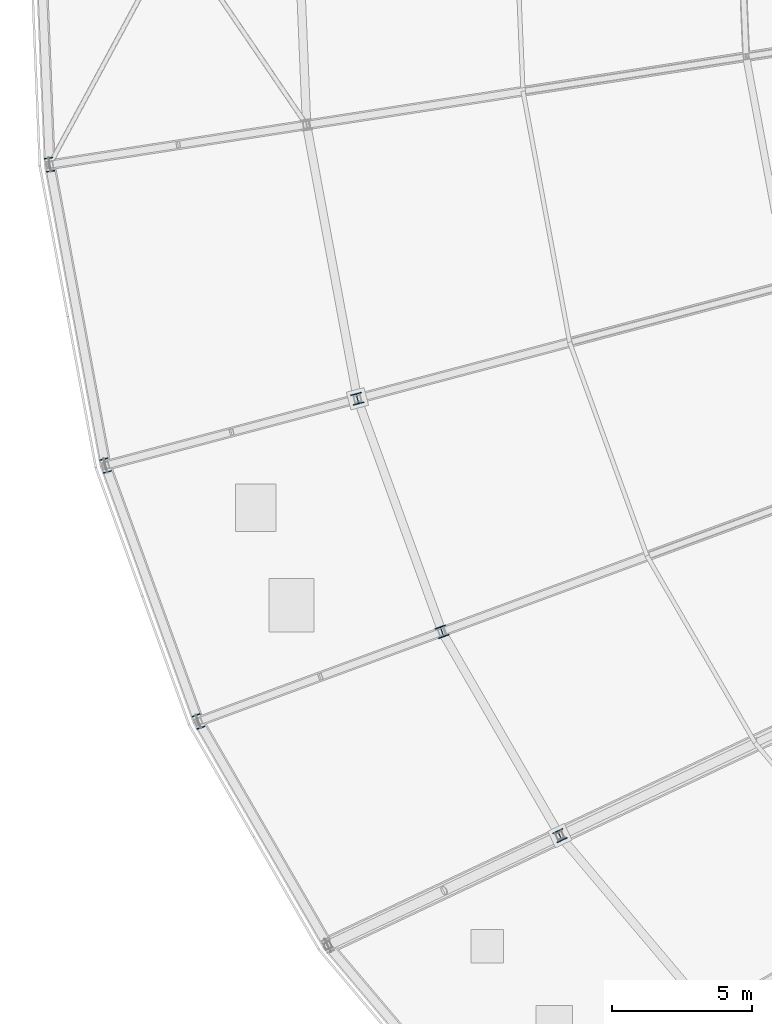
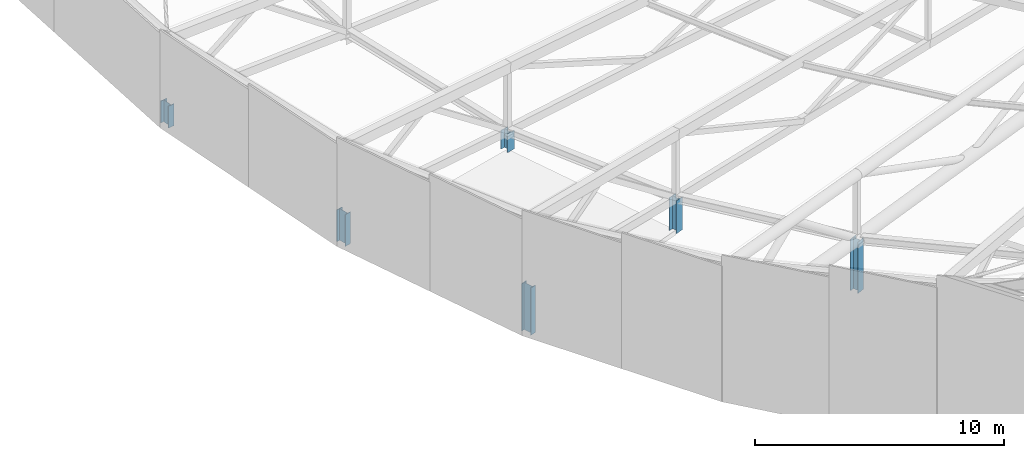
# One storey, part 3 of 143: 6 columns.
"""IFC4 building model written with IfcOpenShell, lengths in metres."""

from ifc_helpers import new_model, si_unit, direction, frame, origin, origin_2d, place, context, subcontext, project, spatial, i_section, extrude, material, material_profile, profile_set, type_object, element, save


model = new_model("IFC4")

# Units and contexts
model_context = context("Model", 3, precision=1e-05, world=origin(), true_north=direction((0.0, 1.0)))
body_context = subcontext(model_context, "Body", "Model", "MODEL_VIEW")
ifc_project = project(units=[si_unit("LENGTHUNIT", "METRE"), si_unit("AREAUNIT", "SQUARE_METRE"), si_unit("VOLUMEUNIT", "CUBIC_METRE"), si_unit("PLANEANGLEUNIT", "RADIAN"), si_unit("MASSUNIT", "GRAM", prefix="KILO")], contexts=[model_context])

# Site, building, storey
site_placement = place(None, origin())
site = spatial("IfcSite", under=ifc_project, at=site_placement, CompositionType="ELEMENT")
building_placement = place(site_placement, origin())
building = spatial("IfcBuilding", under=site, at=building_placement, Name="Mphavela Belvedere Stadium", CompositionType="ELEMENT")
storey_placement = place(building_placement, frame((0.0, 0.0, 28.800048828125)))
storey = spatial("IfcBuildingStorey", under=building, at=storey_placement, Name="RF", CompositionType="ELEMENT", Elevation=28.800048828125)

# Columns
ifc_material_1 = material(Name="Steel S355", Category="steel")
ifc_material_profile_1 = material_profile(ifc_material_1, i_section(OverallWidth=0.39501953125, OverallDepth=0.3798828125, WebThickness=0.0166015625, FlangeThickness=0.02587890625, at=origin_2d()), Name="HD 400x237")
ifc_profile_set_1 = profile_set([ifc_material_profile_1], Name="Steel S355")
column_type_1 = type_object("IfcColumnType", Name="COL-STEEL-HD400", PredefinedType="COLUMN", material=ifc_profile_set_1)
column_1_placement = place(storey_placement, frame((23.8125, 62.818115234375, 0.0), z_axis=(0.0, 0.0, 1.0), x_axis=(-0.966600102017, -0.256289373133, 0.0)))
element("IfcColumn", 1, at=column_1_placement, inside=storey, type_object=column_type_1, Name="Roof truss inner support column RF R3-27", PredefinedType="COLUMN", context=body_context, shape_type="SweptSolid", body=[
    extrude(i_section(OverallWidth=0.39501953125, OverallDepth=0.3798828125, WebThickness=0.0166015625, FlangeThickness=0.02587890625, at=origin_2d()), origin(), (0.0, 0.0, 1.0), 0.916748046875),
])
column_2_placement = place(storey_placement, frame((26.824462890625, 54.515625, 0.0), z_axis=(0.0, 0.0, 1.0), x_axis=(-0.938372433776, -0.34562577382, 0.0)))
element("IfcColumn", 2, at=column_2_placement, inside=storey, type_object=column_type_1, Name="Roof truss inner support column RF R3-28", PredefinedType="COLUMN", context=body_context, shape_type="SweptSolid", body=[
    extrude(i_section(OverallWidth=0.39501953125, OverallDepth=0.3798828125, WebThickness=0.0166015625, FlangeThickness=0.02587890625, at=origin_2d()), origin(), (0.0, 0.0, 1.0), 1.611328125),
])
column_3_placement = place(storey_placement, frame((31.0244140625, 47.251708984375, 0.0), z_axis=(0.0, 0.0, 1.0), x_axis=(-0.903858661687, -0.4278311813, 0.0)))
element("IfcColumn", 3, at=column_3_placement, inside=storey, type_object=column_type_1, Name="Roof truss inner support column RF R3-29", PredefinedType="COLUMN", context=body_context, shape_type="SweptSolid", body=[
    extrude(i_section(OverallWidth=0.39501953125, OverallDepth=0.3798828125, WebThickness=0.0166015625, FlangeThickness=0.02587890625, at=origin_2d()), origin(), (0.0, 0.0, 1.0), 2.516357421875),
])
ifc_material_2 = material(Name="Steel S355", Category="steel")
ifc_material_profile_2 = material_profile(ifc_material_2, i_section(OverallWidth=0.300048828125, OverallDepth=0.5, WebThickness=0.014404296875, FlangeThickness=0.028076171875, at=origin_2d()), Name="HEB 500")
ifc_profile_set_2 = profile_set([ifc_material_profile_2], Name="Steel S355")
column_type_2 = type_object("IfcColumnType", Name="COL-STEEL-HEB500", PredefinedType="COLUMN", material=ifc_profile_set_2)
column_4_placement = place(storey_placement, frame((12.844482421875, 71.155029296875, 0.0), z_axis=(0.0, 0.0, 1.0), x_axis=(-0.98817491911, -0.153330783737, 0.0)))
element("IfcColumn", 4, at=column_4_placement, inside=storey, type_object=column_type_2, Name="Roof truss outer tie-down column RF R4-26", PredefinedType="COLUMN", context=body_context, shape_type="SweptSolid", body=[
    extrude(i_section(OverallWidth=0.300048828125, OverallDepth=0.5, WebThickness=0.014404296875, FlangeThickness=0.028076171875, at=origin_2d()), origin(), (0.0, 0.0, 1.0), 1.074462890625),
])
column_5_placement = place(storey_placement, frame((14.83544921875, 60.4375, 0.0), z_axis=(0.0, 0.0, 1.0), x_axis=(-0.966600102017, -0.256289373133, 0.0)))
element("IfcColumn", 5, at=column_5_placement, inside=storey, type_object=column_type_2, Name="Roof truss outer tie-down column RF R4-27", PredefinedType="COLUMN", context=body_context, shape_type="SweptSolid", body=[
    extrude(i_section(OverallWidth=0.300048828125, OverallDepth=0.5, WebThickness=0.014404296875, FlangeThickness=0.028076171875, at=origin_2d()), origin(), (0.0, 0.0, 1.0), 1.553955078125),
])
column_6_placement = place(storey_placement, frame((18.143798828125, 51.317626953125, 0.0), z_axis=(0.0, 0.0, 1.0), x_axis=(-0.938372433776, -0.34562577382, 0.0)))
element("IfcColumn", 6, at=column_6_placement, inside=storey, type_object=column_type_2, Name="Roof truss outer tie-down column RF R4-28", PredefinedType="COLUMN", context=body_context, shape_type="SweptSolid", body=[
    extrude(i_section(OverallWidth=0.300048828125, OverallDepth=0.5, WebThickness=0.014404296875, FlangeThickness=0.028076171875, at=origin_2d()), origin(), (0.0, 0.0, 1.0), 2.31689453125),
])

save(model, "model.ifc")
